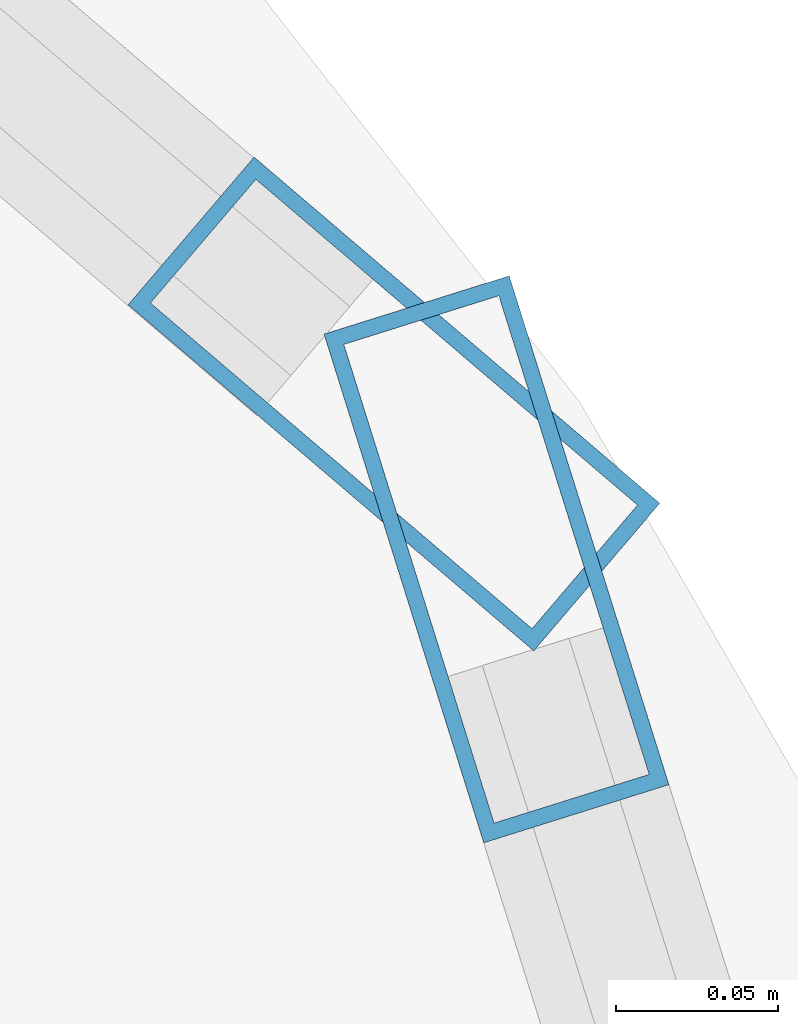
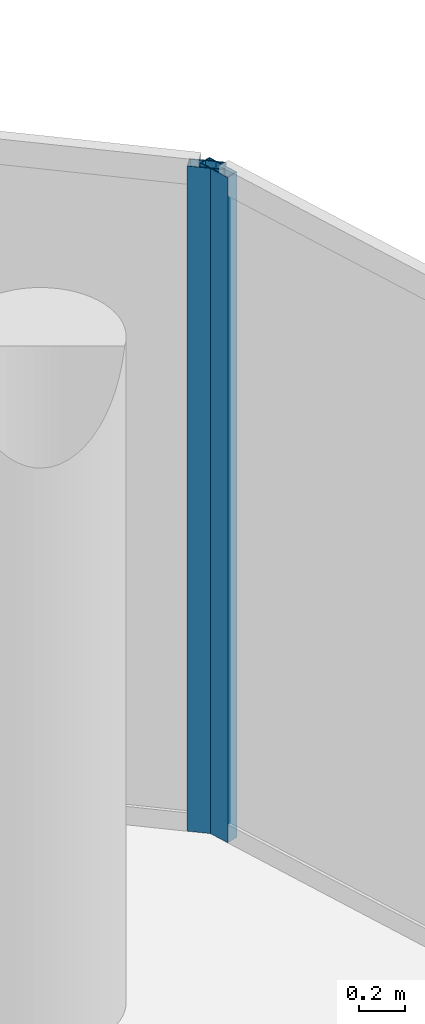
# One storey, part 14 of 24: 2 members, 2 elements without a shape of their own.
"""IFC4 building model written with IfcOpenShell, lengths in metres."""

from ifc_helpers import new_model, si_unit, direction, frame, origin, origin_2d, place, context, subcontext, project, spatial, hollow_rectangle, extrude, material, layer, layer_set, material_profile, profile_set, type_object, element, aggregate, save


model = new_model("IFC4")

# Units and contexts
model_context = context("Model", 3, precision=1e-05, world=origin(), true_north=direction((0.0, 1.0)))
body_context = subcontext(model_context, "Body", "Model", "MODEL_VIEW")
ifc_project = project(units=[si_unit("LENGTHUNIT", "METRE"), si_unit("AREAUNIT", "SQUARE_METRE"), si_unit("VOLUMEUNIT", "CUBIC_METRE"), si_unit("PLANEANGLEUNIT", "RADIAN"), si_unit("MASSUNIT", "GRAM", prefix="KILO")], contexts=[model_context])

# Site, building, storey
site_placement = place(None, origin())
site = spatial("IfcSite", under=ifc_project, at=site_placement, CompositionType="ELEMENT")
building_placement = place(site_placement, origin())
building = spatial("IfcBuilding", under=site, at=building_placement, Name="Nuhasar Tower", CompositionType="ELEMENT")
storey_placement = place(building_placement, frame((0.0, 0.0, 270.800048828125)))
storey = spatial("IfcBuildingStorey", under=building, at=storey_placement, Name="L67", CompositionType="ELEMENT", Elevation=270.800048828125)

# Curtain wall, member
ifc_material = material(Name="Aluminium 6063-T6", Category="aluminium")
ifc_layer = layer(ifc_material, 0.18994140625)
ifc_layer_set = layer_set([ifc_layer], Name="Aluminium 6063-T6")
curtain_wall_type = type_object("IfcCurtainWallType", Name="CW-Z4-PEN", PredefinedType="NOTDEFINED", material=ifc_layer_set)
curtain_wall_1_placement = place(storey_placement, origin())
curtain_wall_1 = element("IfcCurtainWall", 1, at=curtain_wall_1_placement, inside=storey, type_object=curtain_wall_type, Name="L67 Unitised Curtain Wall 01", PredefinedType="NOTDEFINED")
ifc_material_profile = material_profile(ifc_material, hollow_rectangle(XDim=0.06005859375, YDim=0.1650390625, WallThickness=0.0048828125, at=origin_2d()), Name="CWM-5")
ifc_profile_set = profile_set([ifc_material_profile], Name="Aluminium 6063-T6")
member_type = type_object("IfcMemberType", Name="CW-MUL-S5", PredefinedType="MULLION", material=ifc_profile_set)
member_1_placement = place(storey_placement, frame((56.72802734375, 35.50146484375, 0.0), z_axis=(0.0, 0.0, 1.0), x_axis=(-0.954078526601, -0.299556614146, 0.0)))
member_1 = element("IfcMember", 2, at=member_1_placement, type_object=member_type, Name="CW-Z4 mullion 2", PredefinedType="MULLION", context=body_context, shape_type="SweptSolid", body=[
    extrude(hollow_rectangle(XDim=0.06005859375, YDim=0.1650390625, WallThickness=0.0048828125, at=origin_2d()), origin(), (0.0, 0.0, 1.0), 3.5400390625),
])
aggregate(curtain_wall_1, [member_1])

curtain_wall_2_placement = place(storey_placement, origin())
curtain_wall_2 = element("IfcCurtainWall", 3, at=curtain_wall_2_placement, inside=storey, type_object=curtain_wall_type, Name="L67 Unitised Curtain Wall 02", PredefinedType="NOTDEFINED")
member_2_placement = place(storey_placement, frame((56.6962890625, 35.549560546875, 0.0), z_axis=(0.0, 0.0, 1.0), x_axis=(-0.649141996205, -0.760667252327, 0.0)))
member_2 = element("IfcMember", 4, at=member_2_placement, type_object=member_type, Name="CW-Z4 mullion 1", PredefinedType="MULLION", context=body_context, shape_type="SweptSolid", body=[
    extrude(hollow_rectangle(XDim=0.06005859375, YDim=0.1650390625, WallThickness=0.0048828125, at=origin_2d()), origin(), (0.0, 0.0, 1.0), 3.5400390625),
])
aggregate(curtain_wall_2, [member_2])

save(model, "model.ifc")
